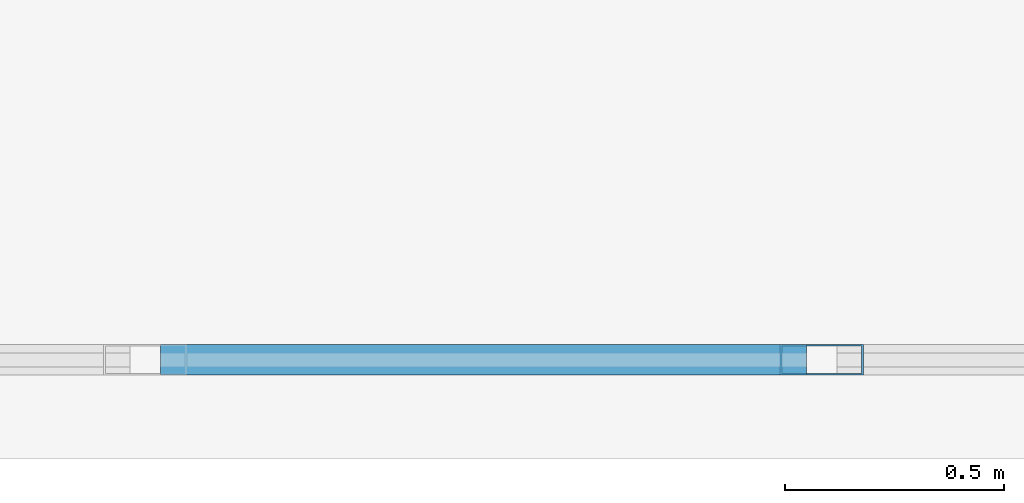
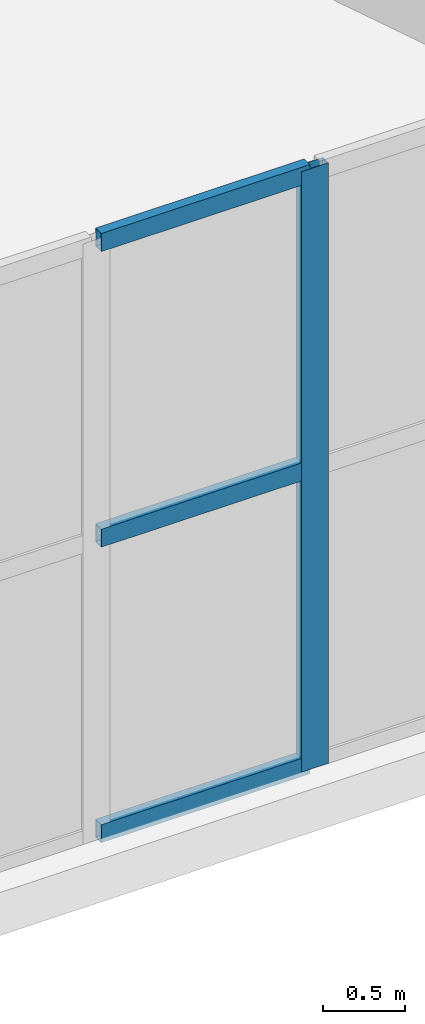
# One storey, part 3 of 15: 4 members, 1 element without a shape of its own.
"""IFC4 building model written with IfcOpenShell, lengths in metres."""

import ifcopenshell
import ifcopenshell.guid

model = None  # the IFC model being written
_history = None  # IfcOwnerHistory: only IFC2X3 demands one
_inside = {}  # id of a spatial element -> (the spatial element, [elements in it])
_under = {}  # id of a project, library or spatial element -> (it, [spatial elements below it])
_declared = {}  # id of a project -> (the project, [libraries it declares])
_typed = {}  # id of a type object -> (the type object, [elements of that type])
_made_of = {}  # id of a material, layer set ... -> (it, [elements and type objects made of it])


def new_model(schema):
    """Start an empty IFC model of exactly this schema.

    Asked for "IFC4X3", IfcOpenShell would pick the latest addendum, in which some entities
    have other attributes; the version numbers below select the first issue.
    IFC2X3 requires an IfcOwnerHistory on every rooted entity: one is made here for all.
    """
    global model, _history
    if schema == "IFC4X3":
        model = ifcopenshell.file(schema_version=(4, 3, 0, 0))
    else:
        model = ifcopenshell.file(schema=schema)
    _inside.clear()
    _under.clear()
    _declared.clear()
    _typed.clear()
    _made_of.clear()
    _history = None
    if model.schema == "IFC2X3":
        org = make("IfcOrganization", Name="unknown")
        user = make(
            "IfcPersonAndOrganization",
            ThePerson=make("IfcPerson", FamilyName="unknown"),
            TheOrganization=org,
        )
        app = make(
            "IfcApplication",
            ApplicationDeveloper=org,
            Version="unknown",
            ApplicationFullName="unknown",
            ApplicationIdentifier="unknown",
        )
        _history = make(
            "IfcOwnerHistory",
            OwningUser=user,
            OwningApplication=app,
            ChangeAction="ADDED",
            CreationDate=0,
        )
    return model


def make(cls, **values):
    """One entity of the class cls with the attributes given. An attribute that is None is left unset."""
    return model.create_entity(
        cls, **{name: value for name, value in values.items() if value is not None}
    )


def rooted(cls, **values):
    """An entity with a GlobalId (a new one), such as an element, a storey or a relation."""
    return make(cls, GlobalId=ifcopenshell.guid.new(), OwnerHistory=_history, **values)


def si_unit(unit_type, name, prefix=None):
    """IfcSIUnit, for example si_unit("LENGTHUNIT", "METRE", prefix="MILLI")."""
    return make("IfcSIUnit", UnitType=unit_type, Prefix=prefix, Name=name)


def assignment(units):
    """IfcUnitAssignment: the units of a project."""
    return None if units is None else make("IfcUnitAssignment", Units=units)


def point(xyz):
    """IfcCartesianPoint."""
    return None if xyz is None else make("IfcCartesianPoint", Coordinates=xyz)


def direction(xyz):
    """IfcDirection."""
    return None if xyz is None else make("IfcDirection", DirectionRatios=xyz)


def frame(location, z_axis=None, x_axis=None):
    """IfcAxis2Placement3D, a coordinate frame: its origin and axes. An axis left out is left unset."""
    return make(
        "IfcAxis2Placement3D",
        Location=point(location),
        Axis=direction(z_axis),
        RefDirection=direction(x_axis),
    )


def frame_2d(location, x_axis=None):
    """IfcAxis2Placement2D, a coordinate frame in the plane: its origin and x axis."""
    return make(
        "IfcAxis2Placement2D", Location=point(location), RefDirection=direction(x_axis)
    )


def origin():
    """The frame at (0, 0, 0) with its axes left unset."""
    return frame((0.0, 0.0, 0.0))


def origin_2d():
    """The frame at (0, 0) in the plane with its x axis left unset."""
    return frame_2d((0.0, 0.0))


def place(relative_to, where):
    """IfcLocalPlacement: puts the frame where relative to a parent placement (None: the world)."""
    return make(
        "IfcLocalPlacement", PlacementRelTo=relative_to, RelativePlacement=where
    )


def context(
    kind, dimensions, precision=None, world=None, true_north=None, identifier=None
):
    """IfcGeometricRepresentationContext, for example the 3D "Model" context."""
    return make(
        "IfcGeometricRepresentationContext",
        ContextIdentifier=identifier,
        ContextType=kind,
        CoordinateSpaceDimension=dimensions,
        Precision=precision,
        WorldCoordinateSystem=world,
        TrueNorth=true_north,
    )


def subcontext(parent, identifier, kind, view, scale=None):
    """IfcGeometricRepresentationSubContext, for example "Body" below "Model"."""
    return make(
        "IfcGeometricRepresentationSubContext",
        ContextIdentifier=identifier,
        ContextType=kind,
        ParentContext=parent,
        TargetScale=scale,
        TargetView=view,
    )


def project(units=None, contexts=None):
    """IfcProject with its units and contexts."""
    return rooted(
        "IfcProject",
        Name="project",
        RepresentationContexts=contexts,
        UnitsInContext=assignment(units),
    )


def spatial(cls, under=None, at=None, **own):
    """A site, building, storey or space (cls), placed at a placement, below another one or the project."""
    s = rooted(cls, ObjectPlacement=at, **own)
    if under is not None:
        _under.setdefault(under.id(), (under, []))[1].append(s)
    return s


def profile(cls, at=None, kind="AREA", **sizes):
    """A parametric profile (cls). Its sizes go by their IFC names, for example OverallWidth=200.0."""
    return make(cls, ProfileType=kind, Position=at, **sizes)


def hollow_rectangle(**sizes):
    """IfcRectangleHollowProfileDef."""
    return profile("IfcRectangleHollowProfileDef", **sizes)


def extrude(swept, where, along, depth):
    """IfcExtrudedAreaSolid: the profile swept, set in the frame where, extruded along a direction by depth."""
    return make(
        "IfcExtrudedAreaSolid",
        SweptArea=swept,
        Position=where,
        ExtrudedDirection=direction(along),
        Depth=depth,
    )


def shape(context_of_items, identifier, shape_type, items):
    """IfcShapeRepresentation: the items that make up one representation, for example the "Body"."""
    return make(
        "IfcShapeRepresentation",
        ContextOfItems=context_of_items,
        RepresentationIdentifier=identifier,
        RepresentationType=shape_type,
        Items=items,
    )


def material(Name=None, Category=None):
    """IfcMaterial."""
    return make("IfcMaterial", Name=Name, Category=Category)


def layer(
    of_material, thickness, ventilated=None, Name=None, Category=None, Priority=None
):
    """IfcMaterialLayer: one layer of a wall or slab, of a material (None: an air gap)."""
    return make(
        "IfcMaterialLayer",
        Material=of_material,
        LayerThickness=thickness,
        IsVentilated=ventilated,
        Name=Name,
        Category=Category,
        Priority=Priority,
    )


def layer_set(layers, Name=None):
    """IfcMaterialLayerSet."""
    return make("IfcMaterialLayerSet", MaterialLayers=layers, LayerSetName=Name)


def material_profile(
    of_material, cross_section, Name=None, Category=None, Priority=None
):
    """IfcMaterialProfile: a cross section and its material."""
    return make(
        "IfcMaterialProfile",
        Name=Name,
        Material=of_material,
        Profile=cross_section,
        Priority=Priority,
        Category=Category,
    )


def profile_set(profiles, Name=None, composite=None):
    """IfcMaterialProfileSet."""
    return make(
        "IfcMaterialProfileSet",
        Name=Name,
        MaterialProfiles=profiles,
        CompositeProfile=composite,
    )


def made_of(thing, what):
    """Note that an element or type object is made of a material, layer set ...; save() writes the relation."""
    if what is not None:
        _made_of.setdefault(what.id(), (what, []))[1].append(thing)
    return thing


def type_object(cls, material=None, **own):
    """A type object (cls), such as IfcWallType, which elements share."""
    return made_of(rooted(cls, **own), material)


def element(
    cls,
    number,
    at=None,
    inside=None,
    cuts=None,
    type_object=None,
    material=None,
    context=None,
    identifier="Body",
    shape_type=None,
    held_by="IfcProductDefinitionShape",
    body=None,
    shapes=None,
    **own,
):
    """One element of the class cls, such as IfcWall. Its Tag is "e" and its number.

    at: its placement. inside: the storey or other place that contains it. cuts: it is an
    opening in that element (IfcRelVoidsElement). A single representation is given by context,
    identifier, shape_type and body (its items); several are given by shapes. held_by: the class
    of the entity that holds the representations. save() writes the other relations.
    """
    e = rooted(cls, Tag="e%d" % number, ObjectPlacement=at, **own)
    if body is not None:
        shapes = [shape(context, identifier, shape_type, body)]
    if shapes is not None:
        e.Representation = make(held_by, Representations=shapes)
    if inside is not None:
        _inside.setdefault(inside.id(), (inside, []))[1].append(e)
    if cuts is not None:
        rooted(
            "IfcRelVoidsElement", RelatingBuildingElement=cuts, RelatedOpeningElement=e
        )
    if type_object is not None:
        _typed.setdefault(type_object.id(), (type_object, []))[1].append(e)
    return made_of(e, material)


def aggregate(whole, parts):
    """IfcRelAggregates: a whole, such as a stair, and the parts it consists of."""
    return rooted("IfcRelAggregates", RelatingObject=whole, RelatedObjects=parts)


def save(model, path):
    """Write the relations noted so far, then the file.

    IfcRelAggregates (storeys below a building ...), IfcRelContainedInSpatialStructure (elements
    in a storey), IfcRelDefinesByType, IfcRelAssociatesMaterial and IfcRelDeclares: one each for
    every whole, place, type object, material and project.
    """
    for whole, parts in _under.values():
        aggregate(whole, parts)
    for where, things in _inside.values():
        rooted(
            "IfcRelContainedInSpatialStructure",
            RelatedElements=things,
            RelatingStructure=where,
        )
    for kind, things in _typed.values():
        rooted("IfcRelDefinesByType", RelatedObjects=things, RelatingType=kind)
    for what, things in _made_of.values():
        rooted("IfcRelAssociatesMaterial", RelatedObjects=things, RelatingMaterial=what)
    for by, libraries in _declared.values():
        rooted("IfcRelDeclares", RelatingContext=by, RelatedDefinitions=libraries)
    model.write(path)


model = new_model("IFC4")

# Units and contexts
model_context = context("Model", 3, precision=1e-05, world=origin(), true_north=direction((0.0, 1.0)))
body_context = subcontext(model_context, "Body", "Model", "MODEL_VIEW")
ifc_project = project(units=[si_unit("LENGTHUNIT", "METRE"), si_unit("AREAUNIT", "SQUARE_METRE"), si_unit("VOLUMEUNIT", "CUBIC_METRE"), si_unit("PLANEANGLEUNIT", "RADIAN"), si_unit("MASSUNIT", "GRAM", prefix="KILO")], contexts=[model_context])

# Site, building, storey
site_placement = place(None, origin())
site = spatial("IfcSite", under=ifc_project, at=site_placement, CompositionType="ELEMENT")
building_placement = place(site_placement, origin())
building = spatial("IfcBuilding", under=site, at=building_placement, Name="Kilnhurst Terrace Hotel", CompositionType="ELEMENT")
storey_placement = place(building_placement, frame((0.0, 0.0, 23.39990234375)))
storey = spatial("IfcBuildingStorey", under=building, at=storey_placement, Name="L04", CompositionType="ELEMENT", Elevation=23.39990234375)

# Curtain wall, members
ifc_material_1 = material(Name="Anodized Aluminium Alloy 6063-T6 and Low-E Glass", Category="aluminium")
ifc_layer = layer(ifc_material_1, 0.219970703125, Name="Anodized Aluminium Alloy 6063-T6 and Low-E Glass")
ifc_layer_set = layer_set([ifc_layer], Name="Anodized Aluminium Alloy 6063-T6 and Low-E Glass")
curtain_wall_type = type_object("IfcCurtainWallType", Name="CW-POD-TERR", PredefinedType="NOTDEFINED", material=ifc_layer_set)
curtain_wall_placement = place(storey_placement, origin())
curtain_wall = element("IfcCurtainWall", 1, at=curtain_wall_placement, inside=storey, type_object=curtain_wall_type, Name="L04 Curtain Wall CW-L04-F1-1", PredefinedType="NOTDEFINED")
ifc_material_2 = material(Name="Extruded Aluminium Alloy 6063-T6", Category="aluminium")
ifc_material_profile_1 = material_profile(ifc_material_2, hollow_rectangle(XDim=0.070068359375, YDim=0.18994140625, WallThickness=0.00390625, at=origin_2d()), Name="CWM70X190")
ifc_profile_set_1 = profile_set([ifc_material_profile_1], Name="Extruded Aluminium Alloy 6063-T6")
member_type_1 = type_object("IfcMemberType", Name="MEM-CWM70X190", PredefinedType="MULLION", material=ifc_profile_set_1)
member_1_placement = place(storey_placement, frame((2.6416015625, -25.97509765625, 0.0), z_axis=(0.0, 0.0, 1.0), x_axis=(0.0, 1.0, 0.0)))
member_1 = element("IfcMember", 2, at=member_1_placement, type_object=member_type_1, Name="CWT-2 mullion 7", PredefinedType="MULLION", context=body_context, shape_type="SweptSolid", body=[
    extrude(hollow_rectangle(XDim=0.070068359375, YDim=0.18994140625, WallThickness=0.00390625, at=origin_2d()), origin(), (0.0, 0.0, 1.0), 4.47998046875),
])
ifc_material_profile_2 = material_profile(ifc_material_2, hollow_rectangle(XDim=0.070068359375, YDim=0.135009765625, WallThickness=0.00390625, at=origin_2d()), Name="CWT70X135")
ifc_profile_set_2 = profile_set([ifc_material_profile_2], Name="Extruded Aluminium Alloy 6063-T6")
member_type_2 = type_object("IfcMemberType", Name="MEM-CWT70X135", PredefinedType="USERDEFINED", material=ifc_profile_set_2)
member_2_placement = place(storey_placement, frame((1.1337890625, -25.97509765625, 0.03515625), z_axis=(1.0, 0.0, 0.0), x_axis=(0.0, 1.0, 0.0)))
member_2 = element("IfcMember", 3, at=member_2_placement, type_object=member_type_2, Name="CWT-2 transom 6.1", ObjectType="TRANSOM", PredefinedType="USERDEFINED", context=body_context, shape_type="SweptSolid", body=[
    extrude(hollow_rectangle(XDim=0.070068359375, YDim=0.135009765625, WallThickness=0.00390625, at=origin_2d()), origin(), (0.0, 0.0, 1.0), 1.47265625),
])
member_3_placement = place(storey_placement, frame((1.1337890625, -25.97509765625, 2.239990234375), z_axis=(1.0, 0.0, 0.0), x_axis=(0.0, 1.0, 0.0)))
member_3 = element("IfcMember", 4, at=member_3_placement, type_object=member_type_2, Name="CWT-2 transom 6.2", ObjectType="TRANSOM", PredefinedType="USERDEFINED", context=body_context, shape_type="SweptSolid", body=[
    extrude(hollow_rectangle(XDim=0.070068359375, YDim=0.135009765625, WallThickness=0.00390625, at=origin_2d()), origin(), (0.0, 0.0, 1.0), 1.47265625),
])
member_4_placement = place(storey_placement, frame((1.1337890625, -25.97509765625, 4.445068359375), z_axis=(1.0, 0.0, 0.0), x_axis=(0.0, 1.0, 0.0)))
member_4 = element("IfcMember", 5, at=member_4_placement, type_object=member_type_2, Name="CWT-2 transom 6.3", ObjectType="TRANSOM", PredefinedType="USERDEFINED", context=body_context, shape_type="SweptSolid", body=[
    extrude(hollow_rectangle(XDim=0.070068359375, YDim=0.135009765625, WallThickness=0.00390625, at=origin_2d()), origin(), (0.0, 0.0, 1.0), 1.47265625),
])
aggregate(curtain_wall, [member_1, member_2, member_3, member_4])

save(model, "model.ifc")
